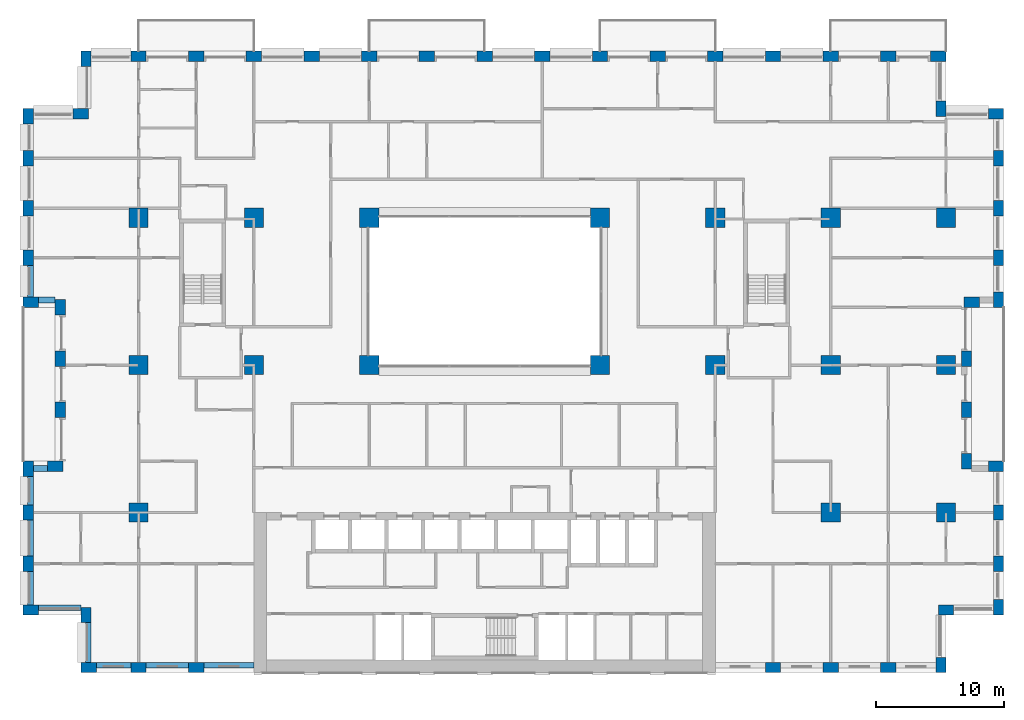
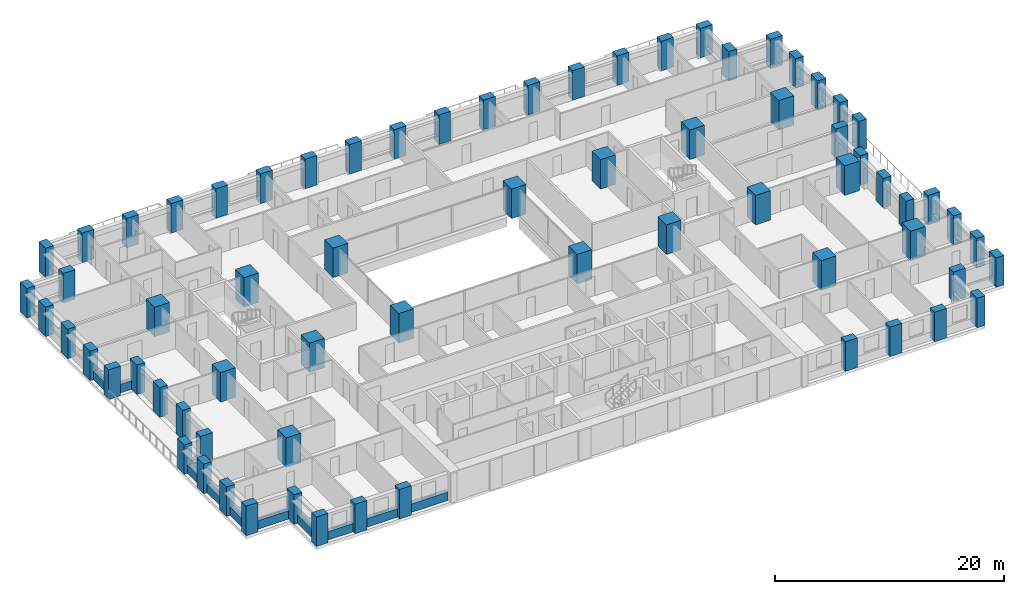
# One storey, part 1 of 20: 70 columns, 11 beams.
"""IFC4 building model written with IfcOpenShell, lengths in metres."""

from ifc_helpers import new_model, si_unit, direction, frame, origin, origin_2d, place, context, subcontext, project, spatial, rectangle, extrude, material, material_profile, profile_set, type_object, element, save


model = new_model("IFC4")

# Units and contexts
model_context = context("Model", 3, precision=1e-05, world=origin(), true_north=direction((0.0, 1.0)))
body_context = subcontext(model_context, "Body", "Model", "MODEL_VIEW")
ifc_project = project(units=[si_unit("LENGTHUNIT", "METRE"), si_unit("AREAUNIT", "SQUARE_METRE"), si_unit("VOLUMEUNIT", "CUBIC_METRE"), si_unit("PLANEANGLEUNIT", "RADIAN"), si_unit("MASSUNIT", "GRAM", prefix="KILO")], contexts=[model_context])

# Site, building, storey
site_placement = place(None, origin())
site = spatial("IfcSite", under=ifc_project, at=site_placement, CompositionType="ELEMENT")
building_placement = place(site_placement, origin())
building = spatial("IfcBuilding", under=site, at=building_placement, Name="Brigalow Station Residences", CompositionType="ELEMENT")
storey_placement = place(building_placement, frame((0.0, 0.0, 60.449951171875)))
storey = spatial("IfcBuildingStorey", under=building, at=storey_placement, Name="L17", CompositionType="ELEMENT", Elevation=60.449951171875)

# Columns
ifc_material_1 = material(Name="Concrete C80", Category="concrete")
ifc_material_profile_1 = material_profile(ifc_material_1, rectangle(XDim=1.5, YDim=1.5, at=origin_2d()), Name="RC1500x1500")
ifc_profile_set_1 = profile_set([ifc_material_profile_1], Name="Concrete C80")
column_type_1 = type_object("IfcColumnType", Name="COLUMN 1500x1500 C80", PredefinedType="COLUMN", material=ifc_profile_set_1)
for number, where, z_axis, x_axis, name in (
    (1, (9.0, 24.0, 0.0), (0.0, 0.0, 1.0), (1.0, 0.0, 0.0), "COLUMN C1 L17"),
    (2, (18.0, 24.0, 0.0), (0.0, 0.0, 1.0), (1.0, 0.0, 0.0), "COLUMN C2 L17"),
    (3, (27.0, 24.0, 0.0), (0.0, 0.0, 1.0), (1.0, 0.0, 0.0), "COLUMN C3 L17"),
    (4, (45.0, 24.0, 0.0), (0.0, 0.0, 1.0), (1.0, 0.0, 0.0), "COLUMN C5 L17"),
    (5, (54.0, 24.0, 0.0), (0.0, 0.0, 1.0), (1.0, 0.0, 0.0), "COLUMN C6 L17"),
    (6, (63.0, 24.0, 0.0), (0.0, 0.0, 1.0), (1.0, 0.0, 0.0), "COLUMN C7 L17"),
    (7, (72.0, 24.0, 0.0), (0.0, 0.0, 1.0), (1.0, 0.0, 0.0), "COLUMN C8 L17"),
    (8, (9.0, 35.5, 0.0), (0.0, 0.0, 1.0), (1.0, 0.0, 0.0), "COLUMN D1 L17"),
    (9, (18.0, 35.5, 0.0), (0.0, 0.0, 1.0), (1.0, 0.0, 0.0), "COLUMN D2 L17"),
    (10, (27.0, 35.5, 0.0), (0.0, 0.0, 1.0), (1.0, 0.0, 0.0), "COLUMN D3 L17"),
    (11, (45.0, 35.5, 0.0), (0.0, 0.0, 1.0), (1.0, 0.0, 0.0), "COLUMN D5 L17"),
    (12, (54.0, 35.5, 0.0), (0.0, 0.0, 1.0), (1.0, 0.0, 0.0), "COLUMN D6 L17"),
    (13, (63.0, 35.5, 0.0), (0.0, 0.0, 1.0), (1.0, 0.0, 0.0), "COLUMN D7 L17"),
    (14, (72.0, 35.5, 0.0), (0.0, 0.0, 1.0), (1.0, 0.0, 0.0), "COLUMN D8 L17"),
    (15, (9.0, 12.5, 0.0), (0.0, 0.0, 1.0), (1.0, 0.0, 0.0), "COLUMN B1 L17"),
    (16, (63.0, 12.5, 0.0), (0.0, 0.0, 1.0), (1.0, 0.0, 0.0), "COLUMN B7 L17"),
    (17, (72.0, 12.5, 0.0), (0.0, 0.0, 1.0), (1.0, 0.0, 0.0), "COLUMN B8 L17"),
):
    element("IfcColumn", number, at=place(storey_placement, frame(where, z_axis=z_axis, x_axis=x_axis)), inside=storey, type_object=column_type_1, Name=name, PredefinedType="COLUMN", context=body_context, shape_type="SweptSolid", body=[
        extrude(rectangle(XDim=1.5, YDim=1.5, at=origin_2d()), origin(), (0.0, 0.0, 1.0), 3.150146484375),
    ])
ifc_material_2 = material(Name="Concrete C80", Category="concrete")
ifc_material_profile_2 = material_profile(ifc_material_2, rectangle(XDim=1.199951171875, YDim=0.800048828125, at=origin_2d()), Name="RC1200x800")
ifc_profile_set_2 = profile_set([ifc_material_profile_2], Name="Concrete C80")
column_type_2 = type_object("IfcColumnType", Name="PIER 1200x800 C80", PredefinedType="USERDEFINED", material=ifc_profile_set_2)
for number, where, z_axis, x_axis, name in (
    (18, (5.10009765625, 0.39990234375, 0.0), (0.0, 0.0, 1.0), (1.0, 0.0, 0.0), "PIER S-1 L17"),
    (19, (9.0, 0.39990234375, 0.0), (0.0, 0.0, 1.0), (1.0, 0.0, 0.0), "PIER S-2 L17"),
    (20, (13.5, 0.39990234375, 0.0), (0.0, 0.0, 1.0), (1.0, 0.0, 0.0), "PIER S-3 L17"),
    (21, (58.5, 0.39990234375, 0.0), (0.0, 0.0, 1.0), (1.0, 0.0, 0.0), "PIER S-13 L17"),
    (22, (63.0, 0.39990234375, 0.0), (0.0, 0.0, 1.0), (1.0, 0.0, 0.0), "PIER S-14 L17"),
    (23, (67.5, 0.39990234375, 0.0), (0.0, 0.0, 1.0), (1.0, 0.0, 0.0), "PIER S-15 L17"),
    (24, (71.60009765625, 0.60009765625, 0.0), (0.0, 0.0, 1.0), (0.0, 1.0, 0.0), "PIER SE1-1 L17"),
    (25, (72.0, 4.89990234375, 0.0), (0.0, 0.0, 1.0), (1.0, 0.0, 0.0), "PIER SE2-1 L17"),
    (26, (76.10009765625, 5.10009765625, 0.0), (0.0, 0.0, 1.0), (0.0, 1.0, 0.0), "PIER E1-1 L17"),
    (27, (76.10009765625, 8.5, 0.0), (0.0, 0.0, 1.0), (0.0, 1.0, 0.0), "PIER E1-2 L17"),
    (28, (76.10009765625, 12.5, 0.0), (0.0, 0.0, 1.0), (0.0, 1.0, 0.0), "PIER E1-3 L17"),
    (29, (75.89990234375, 16.10009765625, 0.0), (0.0, 0.0, 1.0), (-1.0, 0.0, 0.0), "PIER EL1-1 L17"),
    (30, (73.60009765625, 16.5, 0.0), (0.0, 0.0, 1.0), (0.0, 1.0, 0.0), "PIER EL2-1 L17"),
    (31, (73.60009765625, 20.5, 0.0), (0.0, 0.0, 1.0), (0.0, 1.0, 0.0), "PIER EL2-2 L17"),
    (32, (73.60009765625, 24.5, 0.0), (0.0, 0.0, 1.0), (0.0, 1.0, 0.0), "PIER EL2-3 L17"),
    (33, (74.0, 28.89990234375, 0.0), (0.0, 0.0, 1.0), (1.0, 0.0, 0.0), "PIER EL3-1 L17"),
    (34, (76.10009765625, 29.10009765625, 0.0), (0.0, 0.0, 1.0), (0.0, 1.0, 0.0), "PIER E2-1 L17"),
    (35, (76.10009765625, 32.375, 0.0), (0.0, 0.0, 1.0), (0.0, 1.0, 0.0), "PIER E2-2 L17"),
    (36, (76.10009765625, 36.25, 0.0), (0.0, 0.0, 1.0), (0.0, 1.0, 0.0), "PIER E2-3 L17"),
    (37, (76.10009765625, 40.125, 0.0), (0.0, 0.0, 1.0), (0.0, 1.0, 0.0), "PIER E2-4 L17"),
    (38, (75.89990234375, 43.60009765625, 0.0), (0.0, 0.0, 1.0), (-1.0, 0.0, 0.0), "PIER NE1-1 L17"),
    (39, (71.60009765625, 44.0, 0.0), (0.0, 0.0, 1.0), (0.0, 1.0, 0.0), "PIER NE2-1 L17"),
    (40, (71.39990234375, 48.10009765625, 0.0), (0.0, 0.0, 1.0), (-1.0, 0.0, 0.0), "PIER N-1 L17"),
    (41, (67.5, 48.10009765625, 0.0), (0.0, 0.0, 1.0), (-1.0, 0.0, 0.0), "PIER N-2 L17"),
    (42, (63.0, 48.10009765625, 0.0), (0.0, 0.0, 1.0), (-1.0, 0.0, 0.0), "PIER N-3 L17"),
    (43, (58.5, 48.10009765625, 0.0), (0.0, 0.0, 1.0), (-1.0, 0.0, 0.0), "PIER N-4 L17"),
    (44, (54.0, 48.10009765625, 0.0), (0.0, 0.0, 1.0), (-1.0, 0.0, 0.0), "PIER N-5 L17"),
    (45, (49.5, 48.10009765625, 0.0), (0.0, 0.0, 1.0), (-1.0, 0.0, 0.0), "PIER N-6 L17"),
    (46, (45.0, 48.10009765625, 0.0), (0.0, 0.0, 1.0), (-1.0, 0.0, 0.0), "PIER N-7 L17"),
    (47, (40.5, 48.10009765625, 0.0), (0.0, 0.0, 1.0), (-1.0, 0.0, 0.0), "PIER N-8 L17"),
    (48, (36.0, 48.10009765625, 0.0), (0.0, 0.0, 1.0), (-1.0, 0.0, 0.0), "PIER N-9 L17"),
    (49, (31.5, 48.10009765625, 0.0), (0.0, 0.0, 1.0), (-1.0, 0.0, 0.0), "PIER N-10 L17"),
    (50, (27.0, 48.10009765625, 0.0), (0.0, 0.0, 1.0), (-1.0, 0.0, 0.0), "PIER N-11 L17"),
    (51, (22.5, 48.10009765625, 0.0), (0.0, 0.0, 1.0), (-1.0, 0.0, 0.0), "PIER N-12 L17"),
    (52, (18.0, 48.10009765625, 0.0), (0.0, 0.0, 1.0), (-1.0, 0.0, 0.0), "PIER N-13 L17"),
    (53, (13.5, 48.10009765625, 0.0), (0.0, 0.0, 1.0), (-1.0, 0.0, 0.0), "PIER N-14 L17"),
    (54, (9.0, 48.10009765625, 0.0), (0.0, 0.0, 1.0), (-1.0, 0.0, 0.0), "PIER N-15 L17"),
    (55, (4.89990234375, 47.89990234375, 0.0), (0.0, 0.0, 1.0), (0.0, -1.0, 0.0), "PIER NW1-1 L17"),
    (56, (4.5, 43.60009765625, 0.0), (0.0, 0.0, 1.0), (-1.0, 0.0, 0.0), "PIER NW2-1 L17"),
    (57, (0.39990234375, 43.39990234375, 0.0), (0.0, 0.0, 1.0), (0.0, -1.0, 0.0), "PIER W2-1 L17"),
    (58, (0.39990234375, 40.125, 0.0), (0.0, 0.0, 1.0), (0.0, -1.0, 0.0), "PIER W2-2 L17"),
    (59, (0.39990234375, 36.25, 0.0), (0.0, 0.0, 1.0), (0.0, -1.0, 0.0), "PIER W2-3 L17"),
    (60, (0.39990234375, 32.375, 0.0), (0.0, 0.0, 1.0), (0.0, -1.0, 0.0), "PIER W2-4 L17"),
    (61, (0.60009765625, 28.89990234375, 0.0), (0.0, 0.0, 1.0), (1.0, 0.0, 0.0), "PIER WL1-1 L17"),
    (62, (2.89990234375, 28.5, 0.0), (0.0, 0.0, 1.0), (0.0, -1.0, 0.0), "PIER WL2-1 L17"),
    (63, (2.89990234375, 24.5, 0.0), (0.0, 0.0, 1.0), (0.0, -1.0, 0.0), "PIER WL2-2 L17"),
    (64, (2.89990234375, 20.5, 0.0), (0.0, 0.0, 1.0), (0.0, -1.0, 0.0), "PIER WL2-3 L17"),
    (65, (2.5, 16.10009765625, 0.0), (0.0, 0.0, 1.0), (-1.0, 0.0, 0.0), "PIER WL3-1 L17"),
    (66, (0.39990234375, 15.89990234375, 0.0), (0.0, 0.0, 1.0), (0.0, -1.0, 0.0), "PIER W1-1 L17"),
    (67, (0.39990234375, 12.5, 0.0), (0.0, 0.0, 1.0), (0.0, -1.0, 0.0), "PIER W1-2 L17"),
    (68, (0.39990234375, 8.5, 0.0), (0.0, 0.0, 1.0), (0.0, -1.0, 0.0), "PIER W1-3 L17"),
    (69, (0.60009765625, 4.89990234375, 0.0), (0.0, 0.0, 1.0), (1.0, 0.0, 0.0), "PIER SW1-1 L17"),
    (70, (4.89990234375, 4.5, 0.0), (0.0, 0.0, 1.0), (0.0, -1.0, 0.0), "PIER SW2-1 L17"),
):
    element("IfcColumn", number, at=place(storey_placement, frame(where, z_axis=z_axis, x_axis=x_axis)), inside=storey, type_object=column_type_2, Name=name, ObjectType="PIER", PredefinedType="USERDEFINED", context=body_context, shape_type="SweptSolid", body=[
        extrude(rectangle(XDim=1.199951171875, YDim=0.800048828125, at=origin_2d()), origin(), (0.0, 0.0, 1.0), 3.150146484375),
    ])

# Beams
ifc_material_3 = material(Name="Concrete C65", Category="concrete")
ifc_material_profile_3 = material_profile(ifc_material_3, rectangle(XDim=0.449951171875, YDim=0.89990234375, at=origin_2d()), Name="RC450x900")
ifc_profile_set_3 = profile_set([ifc_material_profile_3], Name="Concrete C65")
beam_type = type_object("IfcBeamType", Name="SPANDREL BEAM 450x900 C65", PredefinedType="SPANDREL", material=ifc_profile_set_3)
beam_1_placement = place(storey_placement, frame((5.699951171875, 0.574951171875, 0.449951171875), z_axis=(1.0, 0.0, 0.0), x_axis=(0.0, 1.0, 0.0)))
element("IfcBeam", 71, at=beam_1_placement, inside=storey, type_object=beam_type, Name="L17/spandrel/W-L17-1", PredefinedType="SPANDREL", context=body_context, shape_type="SweptSolid", body=[
    extrude(rectangle(XDim=0.449951171875, YDim=0.89990234375, at=origin_2d()), origin(), (0.0, 0.0, 1.0), 2.699951171875),
])
beam_2_placement = place(storey_placement, frame((9.60009765625, 0.574951171875, 0.449951171875), z_axis=(1.0, 0.0, 0.0), x_axis=(0.0, 1.0, 0.0)))
element("IfcBeam", 72, at=beam_2_placement, inside=storey, type_object=beam_type, Name="L17/spandrel/W-L17-2", PredefinedType="SPANDREL", context=body_context, shape_type="SweptSolid", body=[
    extrude(rectangle(XDim=0.449951171875, YDim=0.89990234375, at=origin_2d()), origin(), (0.0, 0.0, 1.0), 3.2998046875),
])
beam_3_placement = place(storey_placement, frame((14.10009765625, 0.574951171875, 0.449951171875), z_axis=(1.0, 0.0, 0.0), x_axis=(0.0, 1.0, 0.0)))
element("IfcBeam", 73, at=beam_3_placement, inside=storey, type_object=beam_type, Name="L17/spandrel/W-L17-3", PredefinedType="SPANDREL", context=body_context, shape_type="SweptSolid", body=[
    extrude(rectangle(XDim=0.449951171875, YDim=0.89990234375, at=origin_2d()), origin(), (0.0, 0.0, 1.0), 3.89990234375),
])
beam_4_placement = place(storey_placement, frame((0.574951171875, 31.77490234375, 0.449951171875), z_axis=(0.0, -1.0, 0.0), x_axis=(1.0, 0.0, 0.0)))
element("IfcBeam", 74, at=beam_4_placement, inside=storey, type_object=beam_type, Name="L17/spandrel/W-L17-45", PredefinedType="SPANDREL", context=body_context, shape_type="SweptSolid", body=[
    extrude(rectangle(XDim=0.449951171875, YDim=0.89990234375, at=origin_2d()), origin(), (0.0, 0.0, 1.0), 2.474853515625),
])
beam_5_placement = place(storey_placement, frame((1.199951171875, 29.074951171875, 0.449951171875), z_axis=(1.0, 0.0, 0.0), x_axis=(0.0, 1.0, 0.0)))
element("IfcBeam", 75, at=beam_5_placement, inside=storey, type_object=beam_type, Name="L17/spandrel/W-L17-46", PredefinedType="SPANDREL", context=body_context, shape_type="SweptSolid", body=[
    extrude(rectangle(XDim=0.449951171875, YDim=0.89990234375, at=origin_2d()), origin(), (0.0, 0.0, 1.0), 1.300048828125),
])
beam_6_placement = place(storey_placement, frame((1.89990234375, 15.925048828125, 0.449951171875), z_axis=(-1.0, 0.0, 0.0), x_axis=(0.0, -1.0, 0.0)))
element("IfcBeam", 76, at=beam_6_placement, inside=storey, type_object=beam_type, Name="L17/spandrel/W-L17-50", PredefinedType="SPANDREL", context=body_context, shape_type="SweptSolid", body=[
    extrude(rectangle(XDim=0.449951171875, YDim=0.89990234375, at=origin_2d()), origin(), (0.0, 0.0, 1.0), 1.099853515625),
])
beam_7_placement = place(storey_placement, frame((0.574951171875, 15.300048828125, 0.449951171875), z_axis=(0.0, -1.0, 0.0), x_axis=(1.0, 0.0, 0.0)))
element("IfcBeam", 77, at=beam_7_placement, inside=storey, type_object=beam_type, Name="L17/spandrel/W-L17-51", PredefinedType="SPANDREL", context=body_context, shape_type="SweptSolid", body=[
    extrude(rectangle(XDim=0.449951171875, YDim=0.89990234375, at=origin_2d()), origin(), (0.0, 0.0, 1.0), 2.199951171875),
])
beam_8_placement = place(storey_placement, frame((0.574951171875, 11.89990234375, 0.449951171875), z_axis=(0.0, -1.0, 0.0), x_axis=(1.0, 0.0, 0.0)))
element("IfcBeam", 78, at=beam_8_placement, inside=storey, type_object=beam_type, Name="L17/spandrel/W-L17-52", PredefinedType="SPANDREL", context=body_context, shape_type="SweptSolid", body=[
    extrude(rectangle(XDim=0.449951171875, YDim=0.89990234375, at=origin_2d()), origin(), (0.0, 0.0, 1.0), 2.7998046875),
])
beam_9_placement = place(storey_placement, frame((0.574951171875, 7.89990234375, 0.449951171875), z_axis=(0.0, -1.0, 0.0), x_axis=(1.0, 0.0, 0.0)))
element("IfcBeam", 79, at=beam_9_placement, inside=storey, type_object=beam_type, Name="L17/spandrel/W-L17-53", PredefinedType="SPANDREL", context=body_context, shape_type="SweptSolid", body=[
    extrude(rectangle(XDim=0.449951171875, YDim=0.89990234375, at=origin_2d()), origin(), (0.0, 0.0, 1.0), 2.599853515625),
])
beam_10_placement = place(storey_placement, frame((1.199951171875, 5.074951171875, 0.449951171875), z_axis=(1.0, 0.0, 0.0), x_axis=(0.0, 1.0, 0.0)))
element("IfcBeam", 80, at=beam_10_placement, inside=storey, type_object=beam_type, Name="L17/spandrel/W-L17-54", PredefinedType="SPANDREL", context=body_context, shape_type="SweptSolid", body=[
    extrude(rectangle(XDim=0.449951171875, YDim=0.89990234375, at=origin_2d()), origin(), (0.0, 0.0, 1.0), 3.300048828125),
])
beam_11_placement = place(storey_placement, frame((5.074951171875, 3.89990234375, 0.449951171875), z_axis=(0.0, -1.0, 0.0), x_axis=(1.0, 0.0, 0.0)))
element("IfcBeam", 81, at=beam_11_placement, inside=storey, type_object=beam_type, Name="L17/spandrel/W-L17-55", PredefinedType="SPANDREL", context=body_context, shape_type="SweptSolid", body=[
    extrude(rectangle(XDim=0.449951171875, YDim=0.89990234375, at=origin_2d()), origin(), (0.0, 0.0, 1.0), 3.099853515625),
])

save(model, "model.ifc")
